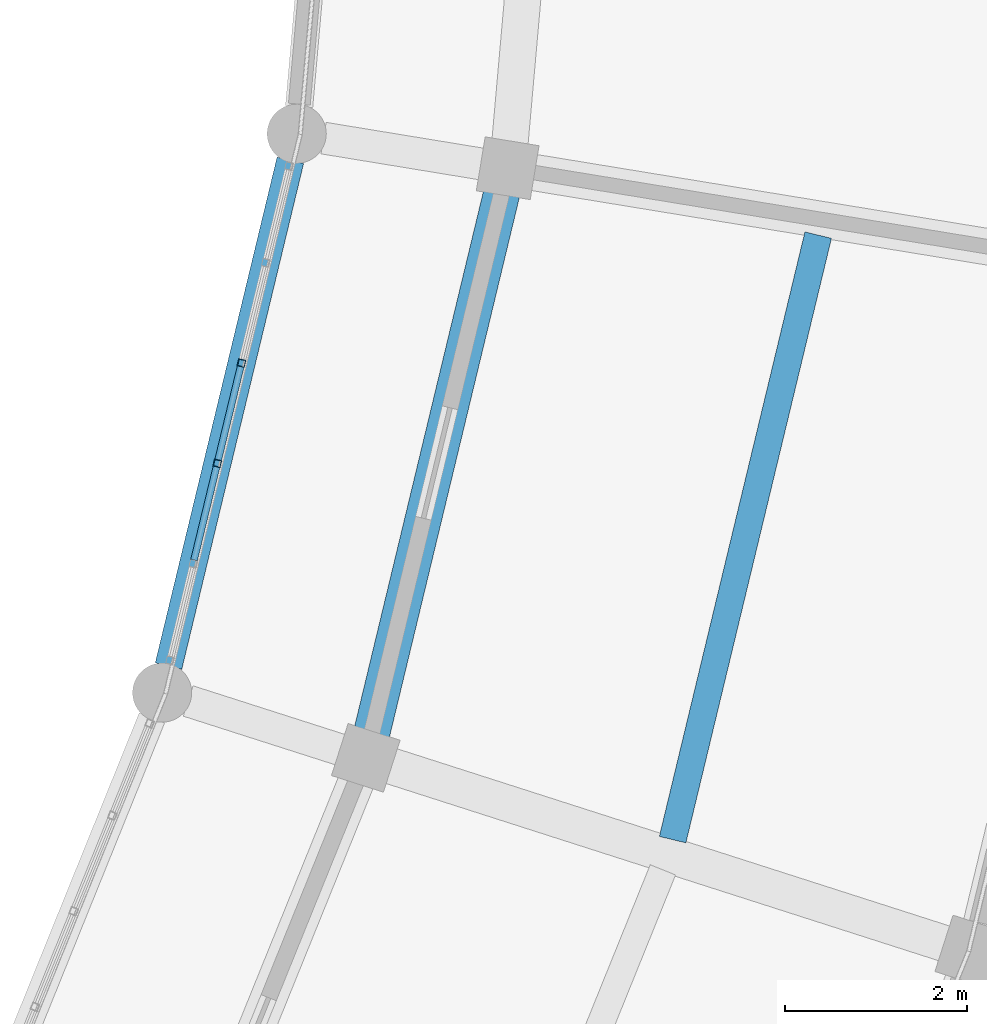
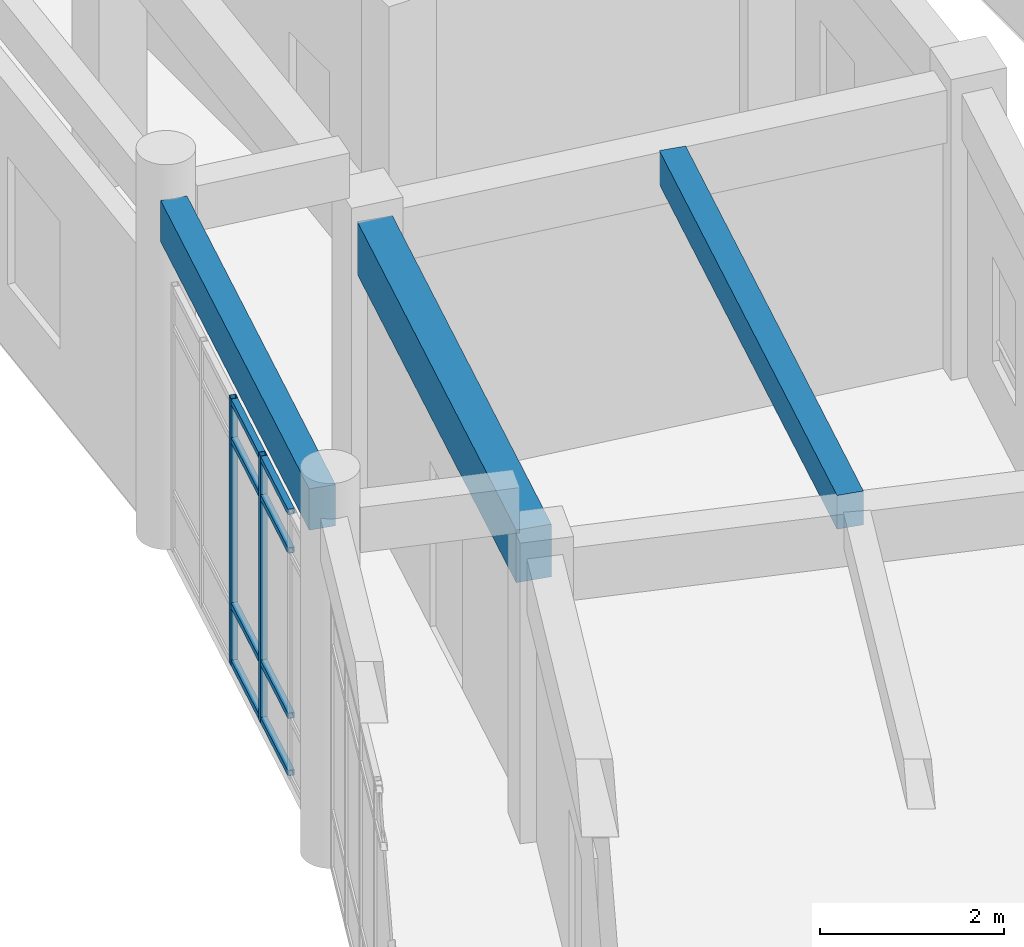
# One storey, part 83 of 159: 10 members, 3 beams, 1 element without a shape of its own.
"""IFC4 building model written with IfcOpenShell, lengths in metres."""

from ifc_helpers import new_model, si_unit, direction, frame, origin, origin_2d, place, context, subcontext, project, spatial, rectangle, hollow_rectangle, extrude, material, material_profile, profile_set, type_object, element, aggregate, save


model = new_model("IFC4")

# Units and contexts
model_context = context("Model", 3, precision=1e-05, world=origin(), true_north=direction((0.0, 1.0)))
body_context = subcontext(model_context, "Body", "Model", "MODEL_VIEW")
ifc_project = project(units=[si_unit("LENGTHUNIT", "METRE"), si_unit("AREAUNIT", "SQUARE_METRE"), si_unit("VOLUMEUNIT", "CUBIC_METRE"), si_unit("PLANEANGLEUNIT", "RADIAN"), si_unit("MASSUNIT", "GRAM", prefix="KILO")], contexts=[model_context])

# Site, building, storey
site_placement = place(None, origin())
site = spatial("IfcSite", under=ifc_project, at=site_placement, CompositionType="ELEMENT")
building_placement = place(site_placement, origin())
building = spatial("IfcBuilding", under=site, at=building_placement, Name="Celadon Cloister-Ring School", CompositionType="ELEMENT")
storey_placement = place(building_placement, frame((0.0, 0.0, 4.5)))
storey = spatial("IfcBuildingStorey", under=building, at=storey_placement, Name="L01", CompositionType="ELEMENT", Elevation=4.5)

# Curtain wall, members
ifc_material_1 = material(Name="Aluminium EN AW-6063 T6", Category="aluminium")
curtain_wall_type = type_object("IfcCurtainWallType", Name="CW-01", PredefinedType="USERDEFINED", material=ifc_material_1)
curtain_wall_placement = place(storey_placement, origin())
curtain_wall = element("IfcCurtainWall", 1, at=curtain_wall_placement, inside=storey, type_object=curtain_wall_type, Name="Curtain Wall 0038", ObjectType="CURTAIN WALL", PredefinedType="USERDEFINED")
ifc_material_2 = material(Name="Aluminium EN AW-6063 T6", Category="aluminium")
ifc_material_profile_1 = material_profile(ifc_material_2, hollow_rectangle(XDim=0.080078125, YDim=0.080078125, WallThickness=0.00390625, at=origin_2d()), Name="RHS80X80X4")
ifc_profile_set_1 = profile_set([ifc_material_profile_1], Name="Aluminium EN AW-6063 T6")
member_type_1 = type_object("IfcMemberType", Name="CM-03", PredefinedType="MULLION", material=ifc_profile_set_1)
member_1_placement = place(storey_placement, frame((128.21875, 48.493408203125, 0.0), z_axis=(0.0, 0.0, 1.0), x_axis=(-0.972212485146, 0.234100157469, 0.0)))
member_1 = element("IfcMember", 2, at=member_1_placement, type_object=member_type_1, Name="CW-01 mullion 3", PredefinedType="MULLION", context=body_context, shape_type="SweptSolid", body=[
    extrude(hollow_rectangle(XDim=0.080078125, YDim=0.080078125, WallThickness=0.00390625, at=origin_2d()), origin(), (0.0, 0.0, 1.0), 3.550048828125),
])
member_2_placement = place(storey_placement, frame((128.484130859375, 49.595703125, 0.0), z_axis=(0.0, 0.0, 1.0), x_axis=(-0.972212485146, 0.234100157469, 0.0)))
member_2 = element("IfcMember", 3, at=member_2_placement, type_object=member_type_1, Name="CW-01 mullion 4", PredefinedType="MULLION", context=body_context, shape_type="SweptSolid", body=[
    extrude(hollow_rectangle(XDim=0.080078125, YDim=0.080078125, WallThickness=0.00390625, at=origin_2d()), origin(), (0.0, 0.0, 1.0), 3.550048828125),
])
ifc_material_3 = material(Name="Aluminium EN AW-6063 T6", Category="aluminium")
ifc_material_profile_2 = material_profile(ifc_material_3, hollow_rectangle(XDim=0.074951171875, YDim=0.074951171875, WallThickness=0.00390625, at=origin_2d()), Name="RHS75X75X4")
ifc_profile_set_2 = profile_set([ifc_material_profile_2], Name="Aluminium EN AW-6063 T6")
member_type_2 = type_object("IfcMemberType", Name="CTM-03", PredefinedType="USERDEFINED", material=ifc_profile_set_2)
member_3_placement = place(storey_placement, frame((127.962646484375, 47.43017578125, 0.03759765625), z_axis=(0.234240389333, 0.972178707854, 0.0), x_axis=(-0.972178707854, 0.234240389333, 0.0)))
member_3 = element("IfcMember", 4, at=member_3_placement, type_object=member_type_2, Name="CW-01 transom 2.1", ObjectType="TRANSOM", PredefinedType="USERDEFINED", context=body_context, shape_type="SweptSolid", body=[
    extrude(hollow_rectangle(XDim=0.074951171875, YDim=0.074951171875, WallThickness=0.00390625, at=origin_2d()), origin(), (0.0, 0.0, 1.0), 1.0537109375),
])
member_4_placement = place(storey_placement, frame((127.962646484375, 47.43017578125, 0.800048828125), z_axis=(0.234240389333, 0.972178707854, 0.0), x_axis=(-0.972178707854, 0.234240389333, 0.0)))
member_4 = element("IfcMember", 5, at=member_4_placement, type_object=member_type_2, Name="CW-01 transom 2.2", ObjectType="TRANSOM", PredefinedType="USERDEFINED", context=body_context, shape_type="SweptSolid", body=[
    extrude(hollow_rectangle(XDim=0.074951171875, YDim=0.074951171875, WallThickness=0.00390625, at=origin_2d()), origin(), (0.0, 0.0, 1.0), 1.0537109375),
])
member_5_placement = place(storey_placement, frame((127.962646484375, 47.43017578125, 3.0), z_axis=(0.234240389333, 0.972178707854, 0.0), x_axis=(-0.972178707854, 0.234240389333, 0.0)))
member_5 = element("IfcMember", 6, at=member_5_placement, type_object=member_type_2, Name="CW-01 transom 2.3", ObjectType="TRANSOM", PredefinedType="USERDEFINED", context=body_context, shape_type="SweptSolid", body=[
    extrude(hollow_rectangle(XDim=0.074951171875, YDim=0.074951171875, WallThickness=0.00390625, at=origin_2d()), origin(), (0.0, 0.0, 1.0), 1.0537109375),
])
member_6_placement = place(storey_placement, frame((127.962646484375, 47.43017578125, 3.512451171875), z_axis=(0.234240389333, 0.972178707854, 0.0), x_axis=(-0.972178707854, 0.234240389333, 0.0)))
member_6 = element("IfcMember", 7, at=member_6_placement, type_object=member_type_2, Name="CW-01 transom 2.4", ObjectType="TRANSOM", PredefinedType="USERDEFINED", context=body_context, shape_type="SweptSolid", body=[
    extrude(hollow_rectangle(XDim=0.074951171875, YDim=0.074951171875, WallThickness=0.00390625, at=origin_2d()), origin(), (0.0, 0.0, 1.0), 1.0537109375),
])
member_7_placement = place(storey_placement, frame((128.228271484375, 48.5322265625, 0.03759765625), z_axis=(0.234021392325, 0.972231447719, 0.0), x_axis=(-0.972231447719, 0.234021392325, 0.0)))
member_7 = element("IfcMember", 8, at=member_7_placement, type_object=member_type_2, Name="CW-01 transom 3.1", ObjectType="TRANSOM", PredefinedType="USERDEFINED", context=body_context, shape_type="SweptSolid", body=[
    extrude(hollow_rectangle(XDim=0.074951171875, YDim=0.074951171875, WallThickness=0.00390625, at=origin_2d()), origin(), (0.0, 0.0, 1.0), 1.0537109375),
])
member_8_placement = place(storey_placement, frame((128.228271484375, 48.5322265625, 0.800048828125), z_axis=(0.234021392325, 0.972231447719, 0.0), x_axis=(-0.972231447719, 0.234021392325, 0.0)))
member_8 = element("IfcMember", 9, at=member_8_placement, type_object=member_type_2, Name="CW-01 transom 3.2", ObjectType="TRANSOM", PredefinedType="USERDEFINED", context=body_context, shape_type="SweptSolid", body=[
    extrude(hollow_rectangle(XDim=0.074951171875, YDim=0.074951171875, WallThickness=0.00390625, at=origin_2d()), origin(), (0.0, 0.0, 1.0), 1.0537109375),
])
member_9_placement = place(storey_placement, frame((128.228271484375, 48.5322265625, 3.0), z_axis=(0.234021392325, 0.972231447719, 0.0), x_axis=(-0.972231447719, 0.234021392325, 0.0)))
member_9 = element("IfcMember", 10, at=member_9_placement, type_object=member_type_2, Name="CW-01 transom 3.3", ObjectType="TRANSOM", PredefinedType="USERDEFINED", context=body_context, shape_type="SweptSolid", body=[
    extrude(hollow_rectangle(XDim=0.074951171875, YDim=0.074951171875, WallThickness=0.00390625, at=origin_2d()), origin(), (0.0, 0.0, 1.0), 1.0537109375),
])
member_10_placement = place(storey_placement, frame((128.228271484375, 48.5322265625, 3.512451171875), z_axis=(0.234021392325, 0.972231447719, 0.0), x_axis=(-0.972231447719, 0.234021392325, 0.0)))
member_10 = element("IfcMember", 11, at=member_10_placement, type_object=member_type_2, Name="CW-01 transom 3.4", ObjectType="TRANSOM", PredefinedType="USERDEFINED", context=body_context, shape_type="SweptSolid", body=[
    extrude(hollow_rectangle(XDim=0.074951171875, YDim=0.074951171875, WallThickness=0.00390625, at=origin_2d()), origin(), (0.0, 0.0, 1.0), 1.0537109375),
])
aggregate(curtain_wall, [member_1, member_2, member_3, member_4, member_5, member_6, member_7, member_8, member_9, member_10])

# Beams
ifc_material_4 = material(Name="Concrete C35/45", Category="concrete")
ifc_material_profile_3 = material_profile(ifc_material_4, rectangle(XDim=0.39990234375, YDim=0.699951171875, at=origin_2d()), Name="RC400X700")
ifc_profile_set_3 = profile_set([ifc_material_profile_3], Name="Concrete C35/45")
beam_type_1 = type_object("IfcBeamType", Name="GT-03", PredefinedType="USERDEFINED", material=ifc_profile_set_3)
beam_1_placement = place(storey_placement, frame((129.9140625, 45.52294921875, 3.429931640625), z_axis=(0.234083879197, 0.972216404665, 0.0), x_axis=(-0.972216404665, 0.234083879197, 0.0)))
element("IfcBeam", 12, at=beam_1_placement, inside=storey, type_object=beam_type_1, Name="Beam 0364", ObjectType="GIRDER", PredefinedType="USERDEFINED", context=body_context, shape_type="SweptSolid", body=[
    extrude(rectangle(XDim=0.39990234375, YDim=0.699951171875, at=origin_2d()), origin(), (0.0, 0.0, 1.0), 6.116943359375),
])
ifc_material_5 = material(Name="Concrete C35/45", Category="concrete")
ifc_material_profile_4 = material_profile(ifc_material_5, rectangle(XDim=0.300048828125, YDim=0.449951171875, at=origin_2d()), Name="RC300X450")
ifc_profile_set_4 = profile_set([ifc_material_profile_4], Name="Concrete C35/45")
beam_type_2 = type_object("IfcBeamType", Name="JT-01", PredefinedType="JOIST", material=ifc_profile_set_4)
beam_2_placement = place(storey_placement, frame((133.222900390625, 44.35693359375, 3.554931640625), z_axis=(0.234105107491, 0.972211293211, 0.0), x_axis=(-0.972211293211, 0.234105107491, 0.0)))
element("IfcBeam", 13, at=beam_2_placement, inside=storey, type_object=beam_type_2, Name="Beam 0366", PredefinedType="JOIST", context=body_context, shape_type="SweptSolid", body=[
    extrude(rectangle(XDim=0.300048828125, YDim=0.449951171875, at=origin_2d()), origin(), (0.0, 0.0, 1.0), 6.8349609375),
])
ifc_material_6 = material(Name="Concrete C35/45", Category="concrete")
ifc_material_profile_5 = material_profile(ifc_material_6, rectangle(XDim=0.300048828125, YDim=0.550048828125, at=origin_2d()), Name="RC300X550")
ifc_profile_set_5 = profile_set([ifc_material_profile_5], Name="Concrete C35/45")
beam_type_3 = type_object("IfcBeamType", Name="SP-02", PredefinedType="SPANDREL", material=ifc_profile_set_5)
beam_3_placement = place(storey_placement, frame((127.681884765625, 46.264892578125, 4.375), z_axis=(0.234188360334, 0.972191242444, 0.0), x_axis=(-0.972191242444, 0.234188360334, 0.0)))
element("IfcBeam", 14, at=beam_3_placement, inside=storey, type_object=beam_type_3, Name="Beam 0365", PredefinedType="SPANDREL", context=body_context, shape_type="SweptSolid", body=[
    extrude(rectangle(XDim=0.300048828125, YDim=0.550048828125, at=origin_2d()), origin(), (0.0, 0.0, 1.0), 5.718017578125),
])

save(model, "model.ifc")
